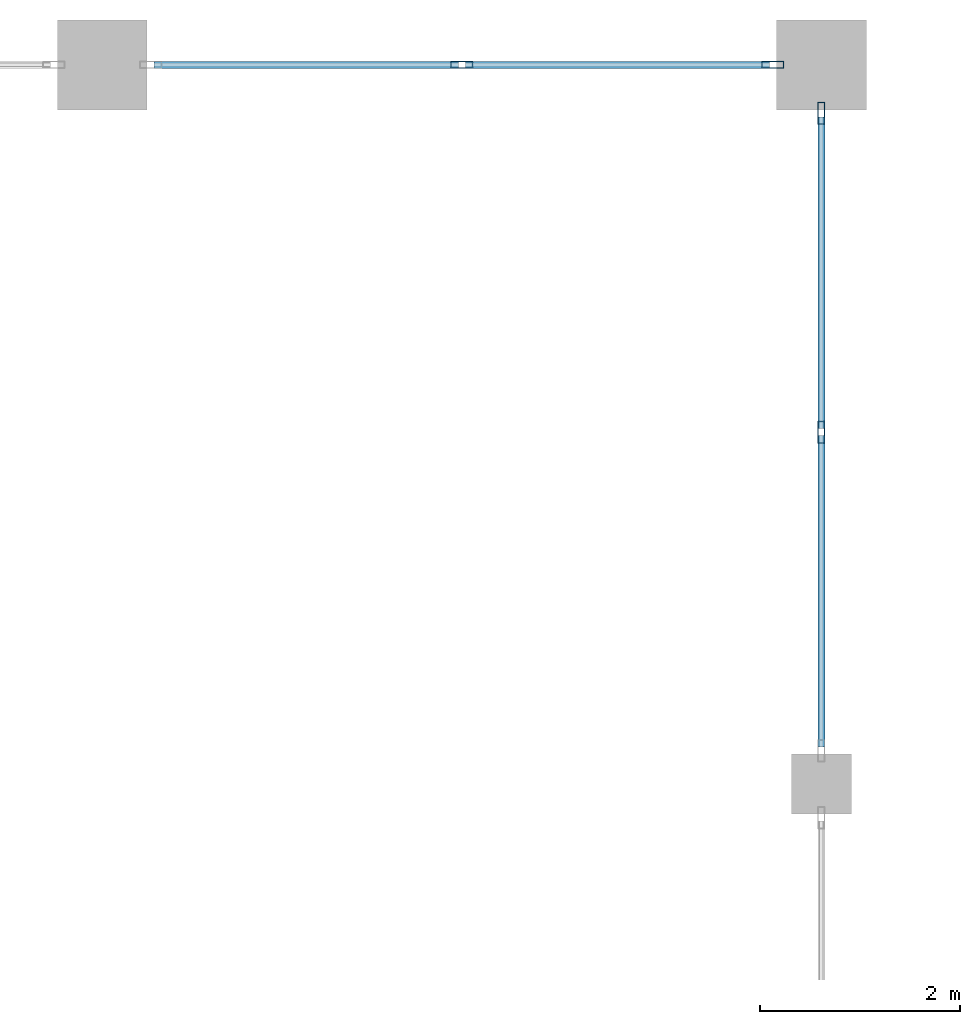
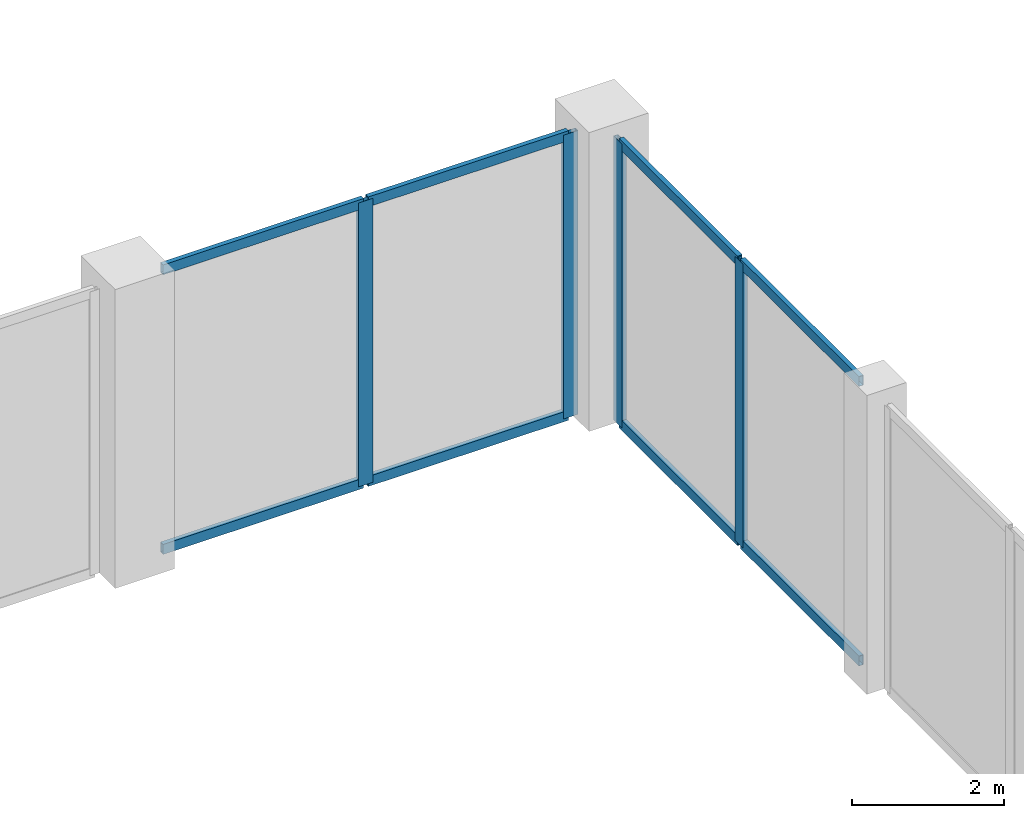
# One storey, part 52 of 120: 12 members, 2 elements without a shape of their own.
"""IFC4 building model written with IfcOpenShell, lengths in metres."""

from ifc_helpers import new_model, si_unit, direction, frame, origin, origin_2d, place, context, subcontext, project, spatial, hollow_rectangle, extrude, material, material_profile, profile_set, type_object, element, aggregate, save


model = new_model("IFC4")

# Units and contexts
model_context = context("Model", 3, precision=1e-05, world=origin(), true_north=direction((0.0, 1.0)))
body_context = subcontext(model_context, "Body", "Model", "MODEL_VIEW")
ifc_project = project(units=[si_unit("LENGTHUNIT", "METRE"), si_unit("AREAUNIT", "SQUARE_METRE"), si_unit("VOLUMEUNIT", "CUBIC_METRE"), si_unit("PLANEANGLEUNIT", "RADIAN"), si_unit("MASSUNIT", "GRAM", prefix="KILO")], contexts=[model_context])

# Site, building, storey
site_placement = place(None, origin())
site = spatial("IfcSite", under=ifc_project, at=site_placement, CompositionType="ELEMENT")
building_placement = place(site_placement, origin())
building = spatial("IfcBuilding", under=site, at=building_placement, Name="Vesperath Aquatics Centre", CompositionType="ELEMENT")
storey_placement = place(building_placement, frame((0.0, 0.0, 10.199951171875)))
storey = spatial("IfcBuildingStorey", under=building, at=storey_placement, Name="L02", CompositionType="ELEMENT", Elevation=10.199951171875)

# Curtain wall, members
ifc_material_1 = material(Name="Thermally broken anodised bronze aluminium curtain wall", Category="aluminium")
curtain_wall_type_1 = type_object("IfcCurtainWallType", Name="CW-02", PredefinedType="NOTDEFINED", material=ifc_material_1)
curtain_wall_1_placement = place(storey_placement, origin())
curtain_wall_1 = element("IfcCurtainWall", 1, at=curtain_wall_1_placement, inside=storey, type_object=curtain_wall_type_1, Name="Facade Curtain Wall CW02 L02_N_07_16", PredefinedType="NOTDEFINED")
ifc_material_2 = material(Name="Thermally broken anodised aluminium", Category="aluminium")
ifc_material_profile_1 = material_profile(ifc_material_2, hollow_rectangle(XDim=0.070068359375, YDim=0.219970703125, WallThickness=0.0048828125, at=origin_2d()), Name="CWM 70x220x5")
ifc_profile_set_1 = profile_set([ifc_material_profile_1], Name="Thermally broken anodised aluminium")
member_type_1 = type_object("IfcMemberType", Name="MB-CWM2", PredefinedType="MULLION", material=ifc_profile_set_1)
member_1_placement = place(storey_placement, frame((54.0, 115.199951171875, 0.0), z_axis=(0.0, 0.0, 1.0), x_axis=(0.0, 1.0, 0.0)))
member_1 = element("IfcMember", 2, at=member_1_placement, type_object=member_type_1, Name="CW02 mullion 2", PredefinedType="MULLION", context=body_context, shape_type="SweptSolid", body=[
    extrude(hollow_rectangle(XDim=0.070068359375, YDim=0.219970703125, WallThickness=0.0048828125, at=origin_2d()), origin(), (0.0, 0.0, 1.0), 4.56005859375),
])
member_2_placement = place(storey_placement, frame((57.114990234375, 115.199951171875, 0.0), z_axis=(0.0, 0.0, 1.0), x_axis=(0.0, 1.0, 0.0)))
member_2 = element("IfcMember", 3, at=member_2_placement, type_object=member_type_1, Name="CW02 mullion 3", PredefinedType="MULLION", context=body_context, shape_type="SweptSolid", body=[
    extrude(hollow_rectangle(XDim=0.070068359375, YDim=0.219970703125, WallThickness=0.0048828125, at=origin_2d()), origin(), (0.0, 0.0, 1.0), 4.56005859375),
])

curtain_wall_type_2 = type_object("IfcCurtainWallType", Name="CW-06", PredefinedType="NOTDEFINED", material=ifc_material_1)
curtain_wall_2_placement = place(storey_placement, origin())
curtain_wall_2 = element("IfcCurtainWall", 4, at=curtain_wall_2_placement, inside=storey, type_object=curtain_wall_type_2, Name="Facade Curtain Wall CW06 L02_E_08_15", PredefinedType="NOTDEFINED")
member_3_placement = place(storey_placement, frame((57.60009765625, 111.52490234375, 0.0), z_axis=(0.0, 0.0, 1.0), x_axis=(-1.0, 0.0, 0.0)))
member_3 = element("IfcMember", 5, at=member_3_placement, type_object=member_type_1, Name="CW06 mullion 2", PredefinedType="MULLION", context=body_context, shape_type="SweptSolid", body=[
    extrude(hollow_rectangle(XDim=0.070068359375, YDim=0.219970703125, WallThickness=0.0048828125, at=origin_2d()), origin(), (0.0, 0.0, 1.0), 4.56005859375),
])
member_4_placement = place(storey_placement, frame((57.60009765625, 114.715087890625, 0.0), z_axis=(0.0, 0.0, 1.0), x_axis=(-1.0, 0.0, 0.0)))
member_4 = element("IfcMember", 6, at=member_4_placement, type_object=member_type_1, Name="CW06 mullion 3", PredefinedType="MULLION", context=body_context, shape_type="SweptSolid", body=[
    extrude(hollow_rectangle(XDim=0.070068359375, YDim=0.219970703125, WallThickness=0.0048828125, at=origin_2d()), origin(), (0.0, 0.0, 1.0), 4.56005859375),
])

# Member
ifc_material_profile_2 = material_profile(ifc_material_2, hollow_rectangle(XDim=0.070068359375, YDim=0.159912109375, WallThickness=0.0048828125, at=origin_2d()), Name="CWT 70x160x5")
ifc_profile_set_2 = profile_set([ifc_material_profile_2], Name="Thermally broken anodised aluminium")
member_type_2 = type_object("IfcMemberType", Name="MB-CWT2", PredefinedType="USERDEFINED", material=ifc_profile_set_2)
member_5_placement = place(storey_placement, frame((50.919921875, 115.199951171875, 0.03515625), z_axis=(1.0, 0.0, 0.0), x_axis=(0.0, 1.0, 0.0)))
member_5 = element("IfcMember", 7, at=member_5_placement, type_object=member_type_2, Name="CW02 transom 1.1", ObjectType="TRANSOM", PredefinedType="USERDEFINED", context=body_context, shape_type="SweptSolid", body=[
    extrude(hollow_rectangle(XDim=0.070068359375, YDim=0.159912109375, WallThickness=0.0048828125, at=origin_2d()), origin(), (0.0, 0.0, 1.0), 3.045166015625),
])

member_6_placement = place(storey_placement, frame((50.919921875, 115.199951171875, 4.525146484375), z_axis=(1.0, 0.0, 0.0), x_axis=(0.0, 1.0, 0.0)))
member_6 = element("IfcMember", 8, at=member_6_placement, type_object=member_type_2, Name="CW02 transom 1.2", ObjectType="TRANSOM", PredefinedType="USERDEFINED", context=body_context, shape_type="SweptSolid", body=[
    extrude(hollow_rectangle(XDim=0.070068359375, YDim=0.159912109375, WallThickness=0.0048828125, at=origin_2d()), origin(), (0.0, 0.0, 1.0), 3.045166015625),
])

member_7_placement = place(storey_placement, frame((54.034912109375, 115.199951171875, 0.03515625), z_axis=(1.0, 0.0, 0.0), x_axis=(0.0, 1.0, 0.0)))
member_7 = element("IfcMember", 9, at=member_7_placement, type_object=member_type_2, Name="CW02 transom 2.1", ObjectType="TRANSOM", PredefinedType="USERDEFINED", context=body_context, shape_type="SweptSolid", body=[
    extrude(hollow_rectangle(XDim=0.070068359375, YDim=0.159912109375, WallThickness=0.0048828125, at=origin_2d()), origin(), (0.0, 0.0, 1.0), 3.045166015625),
])

member_8_placement = place(storey_placement, frame((54.034912109375, 115.199951171875, 4.525146484375), z_axis=(1.0, 0.0, 0.0), x_axis=(0.0, 1.0, 0.0)))
member_8 = element("IfcMember", 10, at=member_8_placement, type_object=member_type_2, Name="CW02 transom 2.2", ObjectType="TRANSOM", PredefinedType="USERDEFINED", context=body_context, shape_type="SweptSolid", body=[
    extrude(hollow_rectangle(XDim=0.070068359375, YDim=0.159912109375, WallThickness=0.0048828125, at=origin_2d()), origin(), (0.0, 0.0, 1.0), 3.045166015625),
])

aggregate(curtain_wall_1, [member_1, member_2, member_5, member_6, member_7, member_8])

member_9_placement = place(storey_placement, frame((57.60009765625, 108.3701171875, 0.03515625), z_axis=(0.0, 1.0, 0.0), x_axis=(-1.0, 0.0, 0.0)))
member_9 = element("IfcMember", 11, at=member_9_placement, type_object=member_type_2, Name="CW06 transom 1.1", ObjectType="TRANSOM", PredefinedType="USERDEFINED", context=body_context, shape_type="SweptSolid", body=[
    extrude(hollow_rectangle(XDim=0.070068359375, YDim=0.159912109375, WallThickness=0.0048828125, at=origin_2d()), origin(), (0.0, 0.0, 1.0), 3.119873046875),
])

member_10_placement = place(storey_placement, frame((57.60009765625, 108.3701171875, 4.525146484375), z_axis=(0.0, 1.0, 0.0), x_axis=(-1.0, 0.0, 0.0)))
member_10 = element("IfcMember", 12, at=member_10_placement, type_object=member_type_2, Name="CW06 transom 1.2", ObjectType="TRANSOM", PredefinedType="USERDEFINED", context=body_context, shape_type="SweptSolid", body=[
    extrude(hollow_rectangle(XDim=0.070068359375, YDim=0.159912109375, WallThickness=0.0048828125, at=origin_2d()), origin(), (0.0, 0.0, 1.0), 3.119873046875),
])

member_11_placement = place(storey_placement, frame((57.60009765625, 111.56005859375, 0.03515625), z_axis=(0.0, 1.0, 0.0), x_axis=(-1.0, 0.0, 0.0)))
member_11 = element("IfcMember", 13, at=member_11_placement, type_object=member_type_2, Name="CW06 transom 2.1", ObjectType="TRANSOM", PredefinedType="USERDEFINED", context=body_context, shape_type="SweptSolid", body=[
    extrude(hollow_rectangle(XDim=0.070068359375, YDim=0.159912109375, WallThickness=0.0048828125, at=origin_2d()), origin(), (0.0, 0.0, 1.0), 3.119873046875),
])

member_12_placement = place(storey_placement, frame((57.60009765625, 111.56005859375, 4.525146484375), z_axis=(0.0, 1.0, 0.0), x_axis=(-1.0, 0.0, 0.0)))
member_12 = element("IfcMember", 14, at=member_12_placement, type_object=member_type_2, Name="CW06 transom 2.2", ObjectType="TRANSOM", PredefinedType="USERDEFINED", context=body_context, shape_type="SweptSolid", body=[
    extrude(hollow_rectangle(XDim=0.070068359375, YDim=0.159912109375, WallThickness=0.0048828125, at=origin_2d()), origin(), (0.0, 0.0, 1.0), 3.119873046875),
])

aggregate(curtain_wall_2, [member_3, member_4, member_9, member_10, member_11, member_12])

save(model, "model.ifc")
